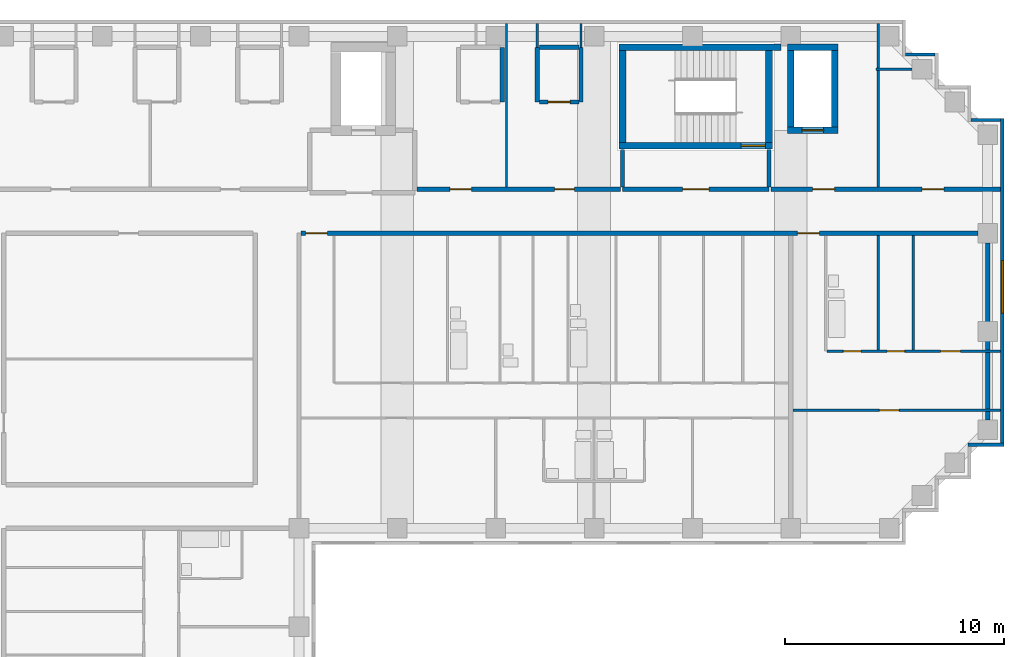
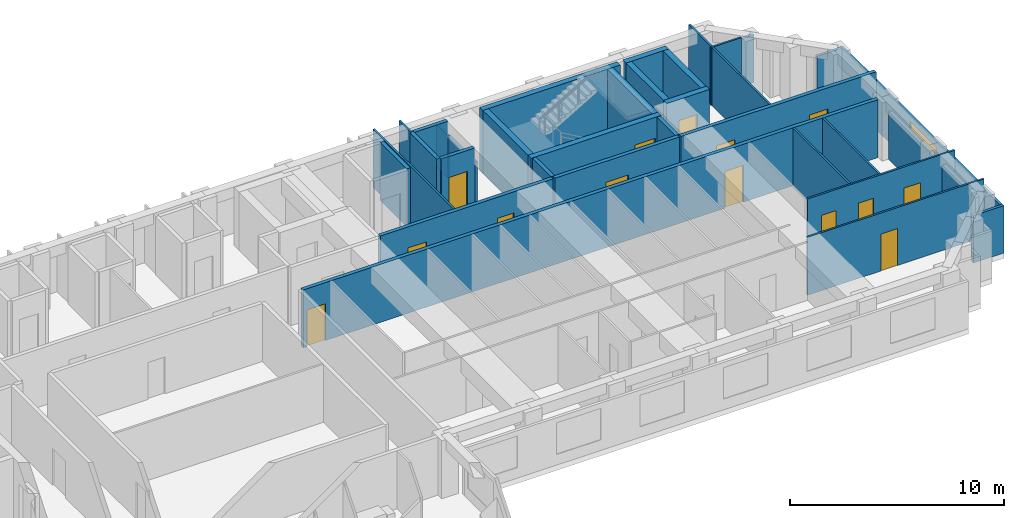
# One storey, part 7 of 10: 33 walls, 14 doors, 1 window, 15 openings.
"""IFC4 building model written with IfcOpenShell, lengths in metres."""

from ifc_helpers import new_model, si_unit, direction, frame, frame_2d, origin, place, context, subcontext, project, spatial, rectangle, extrude, material, layer, layer_set, type_object, element, fill, save


model = new_model("IFC4")

# Units and contexts
model_context = context("Model", 3, precision=1e-05, world=origin(), true_north=direction((0.0, 1.0)))
body_context = subcontext(model_context, "Body", "Model", "MODEL_VIEW")
ifc_project = project(units=[si_unit("LENGTHUNIT", "METRE"), si_unit("AREAUNIT", "SQUARE_METRE"), si_unit("VOLUMEUNIT", "CUBIC_METRE"), si_unit("PLANEANGLEUNIT", "RADIAN"), si_unit("MASSUNIT", "GRAM", prefix="KILO")], contexts=[model_context])

# Site, building, storey
site_placement = place(None, origin())
site = spatial("IfcSite", under=ifc_project, at=site_placement, CompositionType="ELEMENT")
building_placement = place(site_placement, origin())
building = spatial("IfcBuilding", under=site, at=building_placement, Name="Firuza Court", CompositionType="ELEMENT")
storey_placement = place(building_placement, frame((0.0, 0.0, 200.60009765625)))
storey = spatial("IfcBuildingStorey", under=building, at=storey_placement, Name="L51", CompositionType="ELEMENT", Elevation=200.60009765625)

# Wall
ifc_material_1 = material(Name="Moisture-resistant gypsum board partition")
ifc_layer_1 = layer(ifc_material_1, 0.10009765625)
ifc_layer_set_1 = layer_set([ifc_layer_1], Name="Moisture-resistant gypsum board partition")
wall_type_1 = type_object("IfcWallType", Name="Bathroom partition 100", PredefinedType="PLUMBINGWALL", material=ifc_layer_set_1)
wall_1_placement = place(storey_placement, frame((49.0, 44.14990234375, 0.0), z_axis=(0.0, 0.0, 1.0), x_axis=(0.0, 1.0, 0.0)))
element("IfcWall", 1, at=wall_1_placement, inside=storey, type_object=wall_type_1, Name="Bathroom partition 100 L51", PredefinedType="PLUMBINGWALL", context=body_context, shape_type="SweptSolid", body=[
    extrude(rectangle(XDim=5.25, YDim=0.10009765625, at=frame_2d((2.625, 0.0))), origin(), (0.0, 0.0, 1.0), 3.2998046875),
])

# Wall, opening, door
ifc_material_2 = material(Name="Concrete C50/60", Category="concrete")
ifc_layer_2 = layer(ifc_material_2, 0.300048828125)
ifc_layer_set_2 = layer_set([ifc_layer_2], Name="Concrete C50/60")
wall_type_2 = type_object("IfcWallType", Name="Core wall 300 C50/60", PredefinedType="SHEAR", material=ifc_layer_set_2)
wall_2_placement = place(storey_placement, frame((37.14990234375, 53.5, -0.300048828125), z_axis=(0.0, 0.0, 1.0), x_axis=(1.0, 0.0, 0.0)))
wall_2 = element("IfcWall", 2, at=wall_2_placement, inside=storey, type_object=wall_type_2, Name="Core wall stair L51", PredefinedType="SHEAR", context=body_context, shape_type="SweptSolid", body=[
    extrude(rectangle(XDim=7.0, YDim=0.300048828125, at=frame_2d((3.5, 0.0))), origin(), (0.0, 0.0, 1.0), 3.599853515625),
])
opening_1_placement = place(wall_2_placement, frame((5.580078125, 0.0, 0.300048828125)))
opening_1 = element("IfcOpeningElement", 3, at=opening_1_placement, cuts=wall_2, Name="Opening D51011", PredefinedType="OPENING", context=body_context, shape_type="SweptSolid", body=[
    extrude(rectangle(XDim=1.10009765625, YDim=2.10009765625, at=frame_2d((0.550048828125, 1.050048828125))), frame((0.0, 0.162109375, 0.0), z_axis=(0.0, -1.0, 0.0), x_axis=(1.0, 0.0, 0.0)), (0.0, 0.0, 1.0), 0.323974609375),
])
ifc_material_3 = material(Name="Timber door leaf in hardwood frame", Category="wood")
door_type_1 = type_object("IfcDoorType", Name="Stair door 1100", OperationType="SINGLE_SWING_LEFT", PredefinedType="DOOR", material=ifc_material_3)
door_1_placement = place(opening_1_placement, origin())
door_1 = element("IfcDoor", 4, at=door_1_placement, inside=storey, type_object=door_type_1, Name="Stair door S1", OperationType="SINGLE_SWING_RIGHT", OverallHeight=2.10009765625, OverallWidth=1.10009765625, PredefinedType="DOOR", context=body_context, shape_type="SweptSolid", body=[
    extrude(rectangle(XDim=1.10009765625, YDim=2.10009765625, at=frame_2d((0.550048828125, 1.050048828125))), frame((0.0, 0.02490234375, 0.0), z_axis=(0.0, -1.0, 0.0), x_axis=(1.0, 0.0, 0.0)), (0.0, 0.0, 1.0), 0.050048828125),
])
fill(opening_1, door_1)

# Walls
wall_3_placement = place(storey_placement, frame((37.14990234375, 58.0, -0.300048828125), z_axis=(0.0, 0.0, 1.0), x_axis=(1.0, 0.0, 0.0)))
element("IfcWall", 5, at=wall_3_placement, inside=storey, type_object=wall_type_2, Name="Core wall stair L51", PredefinedType="SHEAR", context=body_context, shape_type="SweptSolid", body=[
    extrude(rectangle(XDim=7.400146484375, YDim=0.300048828125, at=frame_2d((3.7001953125, 0.0))), origin(), (0.0, 0.0, 1.0), 3.599853515625),
])
for number, where, z_axis, x_axis, name in (
    (6, (37.300048828125, 53.64990234375, -0.300048828125), (0.0, 0.0, 1.0), (0.0, 1.0, 0.0), "Core wall stair L51"),
    (7, (44.0, 53.64990234375, -0.300048828125), (0.0, 0.0, 1.0), (0.0, 1.0, 0.0), "Core wall stair L51"),
):
    element("IfcWall", number, at=place(storey_placement, frame(where, z_axis=z_axis, x_axis=x_axis)), inside=storey, type_object=wall_type_2, Name=name, PredefinedType="SHEAR", context=body_context, shape_type="SweptSolid", body=[
        extrude(rectangle(XDim=4.2001953125, YDim=0.300048828125, at=frame_2d((2.10009765625, 0.0))), origin(), (0.0, 0.0, 1.0), 3.599853515625),
    ])

# Wall, opening, door
wall_4_placement = place(storey_placement, frame((44.85009765625, 54.199951171875, -0.300048828125), z_axis=(0.0, 0.0, 1.0), x_axis=(1.0, 0.0, 0.0)))
wall_4 = element("IfcWall", 8, at=wall_4_placement, inside=storey, type_object=wall_type_2, Name="Core wall riser L51", PredefinedType="SHEAR", context=body_context, shape_type="SweptSolid", body=[
    extrude(rectangle(XDim=2.2998046875, YDim=0.300048828125, at=frame_2d((1.14990234375, 0.0))), origin(), (0.0, 0.0, 1.0), 3.599853515625),
])
opening_2_placement = place(wall_4_placement, frame((0.64990234375, 0.0, 0.300048828125)))
opening_2 = element("IfcOpeningElement", 9, at=opening_2_placement, cuts=wall_4, Name="Opening D51009", PredefinedType="OPENING", context=body_context, shape_type="SweptSolid", body=[
    extrude(rectangle(XDim=1.0, YDim=2.10009765625, at=frame_2d((0.5, 1.050048828125))), frame((0.0, 0.162109375, 0.0), z_axis=(0.0, -1.0, 0.0), x_axis=(1.0, 0.0, 0.0)), (0.0, 0.0, 1.0), 0.323974609375),
])
ifc_material_4 = material(Name="Timber door leaf in hardwood frame", Category="wood")
door_type_2 = type_object("IfcDoorType", Name="Riser door 1000", OperationType="SINGLE_SWING_LEFT", PredefinedType="DOOR", material=ifc_material_4)
door_2_placement = place(opening_2_placement, origin())
door_2 = element("IfcDoor", 10, at=door_2_placement, inside=storey, type_object=door_type_2, Name="Riser door R3", OperationType="SINGLE_SWING_LEFT", OverallHeight=2.10009765625, OverallWidth=1.0, PredefinedType="DOOR", context=body_context, shape_type="SweptSolid", body=[
    extrude(rectangle(XDim=1.0, YDim=2.10009765625, at=frame_2d((0.5, 1.050048828125))), frame((0.0, 0.02490234375, 0.0), z_axis=(0.0, -1.0, 0.0), x_axis=(1.0, 0.0, 0.0)), (0.0, 0.0, 1.0), 0.050048828125),
])
fill(opening_2, door_2)

# Walls
wall_5_placement = place(storey_placement, frame((44.85009765625, 58.0, -0.300048828125), z_axis=(0.0, 0.0, 1.0), x_axis=(1.0, 0.0, 0.0)))
element("IfcWall", 11, at=wall_5_placement, inside=storey, type_object=wall_type_2, Name="Core wall riser L51", PredefinedType="SHEAR", context=body_context, shape_type="SweptSolid", body=[
    extrude(rectangle(XDim=2.2998046875, YDim=0.300048828125, at=frame_2d((1.14990234375, 0.0))), origin(), (0.0, 0.0, 1.0), 3.599853515625),
])
for number, where, z_axis, x_axis, name in (
    (12, (45.0, 54.35009765625, -0.300048828125), (0.0, 0.0, 1.0), (0.0, 1.0, 0.0), "Core wall riser L51"),
    (13, (47.0, 54.35009765625, -0.300048828125), (0.0, 0.0, 1.0), (0.0, 1.0, 0.0), "Core wall riser L51"),
):
    element("IfcWall", number, at=place(storey_placement, frame(where, z_axis=z_axis, x_axis=x_axis)), inside=storey, type_object=wall_type_2, Name=name, PredefinedType="SHEAR", context=body_context, shape_type="SweptSolid", body=[
        extrude(rectangle(XDim=3.5, YDim=0.300048828125, at=frame_2d((1.75, 0.0))), origin(), (0.0, 0.0, 1.0), 3.599853515625),
    ])

# Wall, openings, doors
ifc_material_5 = material(Name="Blockwork, plastered both sides", Category="masonry")
ifc_layer_3 = layer(ifc_material_5, 0.199951171875)
ifc_layer_set_3 = layer_set([ifc_layer_3], Name="Blockwork, plastered both sides")
wall_type_3 = type_object("IfcWallType", Name="Corridor wall 200", PredefinedType="PARTITIONING", material=ifc_layer_set_3)
wall_6_placement = place(storey_placement, frame((22.60009765625, 49.5, 0.0), z_axis=(0.0, 0.0, 1.0), x_axis=(1.0, 0.0, 0.0)))
wall_6 = element("IfcWall", 14, at=wall_6_placement, inside=storey, type_object=wall_type_3, Name="Corridor wall 200 L51", PredefinedType="PARTITIONING", context=body_context, shape_type="SweptSolid", body=[
    extrude(rectangle(XDim=30.949951171875, YDim=0.199951171875, at=frame_2d((15.47509765625, 0.0))), origin(), (0.0, 0.0, 1.0), 3.2998046875),
])
opening_3_placement = place(wall_6_placement, frame((0.199951171875, 0.0, 0.0)))
opening_3 = element("IfcOpeningElement", 15, at=opening_3_placement, cuts=wall_6, Name="Opening D51057", PredefinedType="OPENING", context=body_context, shape_type="SweptSolid", body=[
    extrude(rectangle(XDim=1.0, YDim=2.10009765625, at=frame_2d((0.5, 1.050048828125))), frame((0.0, 0.11181640625, 0.0), z_axis=(0.0, -1.0, 0.0), x_axis=(1.0, 0.0, 0.0)), (0.0, 0.0, 1.0), 0.223876953125),
])
opening_4_placement = place(wall_6_placement, frame((22.699951171875, 0.0, 0.0)))
opening_4 = element("IfcOpeningElement", 16, at=opening_4_placement, cuts=wall_6, Name="Opening D51058", PredefinedType="OPENING", context=body_context, shape_type="SweptSolid", body=[
    extrude(rectangle(XDim=1.0, YDim=2.10009765625, at=frame_2d((0.5, 1.050048828125))), frame((0.0, 0.11181640625, 0.0), z_axis=(0.0, -1.0, 0.0), x_axis=(1.0, 0.0, 0.0)), (0.0, 0.0, 1.0), 0.223876953125),
])
ifc_material_6 = material(Name="Timber door leaf in hardwood frame", Category="wood")
door_type_3 = type_object("IfcDoorType", Name="Flat entrance door 1000", OperationType="SINGLE_SWING_LEFT", PredefinedType="DOOR", material=ifc_material_6)
door_3_placement = place(opening_3_placement, origin())
door_3 = element("IfcDoor", 17, at=door_3_placement, inside=storey, type_object=door_type_3, Name="Flat entrance door", OperationType="SINGLE_SWING_LEFT", OverallHeight=2.10009765625, OverallWidth=1.0, PredefinedType="DOOR", context=body_context, shape_type="SweptSolid", body=[
    extrude(rectangle(XDim=1.0, YDim=2.10009765625, at=frame_2d((0.5, 1.050048828125))), frame((0.0, 0.02490234375, 0.0), z_axis=(0.0, -1.0, 0.0), x_axis=(1.0, 0.0, 0.0)), (0.0, 0.0, 1.0), 0.050048828125),
])
fill(opening_3, door_3)
door_4_placement = place(opening_4_placement, origin())
door_4 = element("IfcDoor", 18, at=door_4_placement, inside=storey, type_object=door_type_3, Name="Flat entrance door", OperationType="SINGLE_SWING_LEFT", OverallHeight=2.10009765625, OverallWidth=1.0, PredefinedType="DOOR", context=body_context, shape_type="SweptSolid", body=[
    extrude(rectangle(XDim=1.0, YDim=2.10009765625, at=frame_2d((0.5, 1.050048828125))), frame((0.0, 0.02490234375, 0.0), z_axis=(0.0, -1.0, 0.0), x_axis=(1.0, 0.0, 0.0)), (0.0, 0.0, 1.0), 0.050048828125),
])
fill(opening_4, door_4)

wall_7_placement = place(storey_placement, frame((27.89990234375, 51.5, 0.0), z_axis=(0.0, 0.0, 1.0), x_axis=(1.0, 0.0, 0.0)))
wall_7 = element("IfcWall", 19, at=wall_7_placement, inside=storey, type_object=wall_type_3, Name="Corridor wall 200 L51", PredefinedType="PARTITIONING", context=body_context, shape_type="SweptSolid", body=[
    extrude(rectangle(XDim=9.300048828125, YDim=0.199951171875, at=frame_2d((4.64990234375, 0.0))), origin(), (0.0, 0.0, 1.0), 3.2998046875),
])
opening_5_placement = place(wall_7_placement, frame((1.5, 0.0, 0.0)))
opening_5 = element("IfcOpeningElement", 20, at=opening_5_placement, cuts=wall_7, Name="Opening D51061", PredefinedType="OPENING", context=body_context, shape_type="SweptSolid", body=[
    extrude(rectangle(XDim=1.0, YDim=2.10009765625, at=frame_2d((0.5, 1.050048828125))), frame((0.0, 0.11181640625, 0.0), z_axis=(0.0, -1.0, 0.0), x_axis=(1.0, 0.0, 0.0)), (0.0, 0.0, 1.0), 0.223876953125),
])
opening_6_placement = place(wall_7_placement, frame((6.300048828125, 0.0, 0.0)))
opening_6 = element("IfcOpeningElement", 21, at=opening_6_placement, cuts=wall_7, Name="Opening D51062", PredefinedType="OPENING", context=body_context, shape_type="SweptSolid", body=[
    extrude(rectangle(XDim=0.89990234375, YDim=2.10009765625, at=frame_2d((0.449951171875, 1.050048828125))), frame((0.0, 0.11181640625, 0.0), z_axis=(0.0, -1.0, 0.0), x_axis=(1.0, 0.0, 0.0)), (0.0, 0.0, 1.0), 0.223876953125),
])
ifc_material_7 = material(Name="Timber door leaf in hardwood frame", Category="wood")
door_type_4 = type_object("IfcDoorType", Name="Room door 900 EI 30", OperationType="SINGLE_SWING_LEFT", PredefinedType="DOOR", material=ifc_material_7)
door_5_placement = place(opening_6_placement, origin())
door_5 = element("IfcDoor", 22, at=door_5_placement, inside=storey, type_object=door_type_4, Name="Concierge room door", OperationType="SINGLE_SWING_LEFT", OverallHeight=2.10009765625, OverallWidth=0.89990234375, PredefinedType="DOOR", context=body_context, shape_type="SweptSolid", body=[
    extrude(rectangle(XDim=0.89990234375, YDim=2.10009765625, at=frame_2d((0.449951171875, 1.050048828125))), frame((0.0, 0.02490234375, 0.0), z_axis=(0.0, -1.0, 0.0), x_axis=(1.0, 0.0, 0.0)), (0.0, 0.0, 1.0), 0.050048828125),
])
fill(opening_6, door_5)
ifc_material_8 = material(Name="Timber door leaf in hardwood frame", Category="wood")
door_type_5 = type_object("IfcDoorType", Name="Store door 1000", OperationType="SINGLE_SWING_LEFT", PredefinedType="DOOR", material=ifc_material_8)
door_6_placement = place(opening_5_placement, origin())
door_6 = element("IfcDoor", 23, at=door_6_placement, inside=storey, type_object=door_type_5, Name="Cleaner's store door", OperationType="SINGLE_SWING_LEFT", OverallHeight=2.10009765625, OverallWidth=1.0, PredefinedType="DOOR", context=body_context, shape_type="SweptSolid", body=[
    extrude(rectangle(XDim=1.0, YDim=2.10009765625, at=frame_2d((0.5, 1.050048828125))), frame((0.0, 0.02490234375, 0.0), z_axis=(0.0, -1.0, 0.0), x_axis=(1.0, 0.0, 0.0)), (0.0, 0.0, 1.0), 0.050048828125),
])
fill(opening_5, door_6)

wall_8_placement = place(storey_placement, frame((44.10009765625, 51.5, 0.0), z_axis=(0.0, 0.0, 1.0), x_axis=(1.0, 0.0, 0.0)))
wall_8 = element("IfcWall", 24, at=wall_8_placement, inside=storey, type_object=wall_type_3, Name="Corridor wall 200 L51", PredefinedType="PARTITIONING", context=body_context, shape_type="SweptSolid", body=[
    extrude(rectangle(XDim=10.5, YDim=0.199951171875, at=frame_2d((5.25, 0.0))), origin(), (0.0, 0.0, 1.0), 3.2998046875),
])
opening_7_placement = place(wall_8_placement, frame((1.89990234375, 0.0, 0.0)))
opening_7 = element("IfcOpeningElement", 25, at=opening_7_placement, cuts=wall_8, Name="Opening D51063", PredefinedType="OPENING", context=body_context, shape_type="SweptSolid", body=[
    extrude(rectangle(XDim=1.0, YDim=2.10009765625, at=frame_2d((0.5, 1.050048828125))), frame((0.0, 0.11181640625, 0.0), z_axis=(0.0, -1.0, 0.0), x_axis=(1.0, 0.0, 0.0)), (0.0, 0.0, 1.0), 0.223876953125),
])
opening_8_placement = place(wall_8_placement, frame((6.89990234375, 0.0, 0.0)))
opening_8 = element("IfcOpeningElement", 26, at=opening_8_placement, cuts=wall_8, Name="Opening D51064", PredefinedType="OPENING", context=body_context, shape_type="SweptSolid", body=[
    extrude(rectangle(XDim=1.0, YDim=2.10009765625, at=frame_2d((0.5, 1.050048828125))), frame((0.0, 0.11181640625, 0.0), z_axis=(0.0, -1.0, 0.0), x_axis=(1.0, 0.0, 0.0)), (0.0, 0.0, 1.0), 0.223876953125),
])
door_7_placement = place(opening_7_placement, origin())
door_7 = element("IfcDoor", 27, at=door_7_placement, inside=storey, type_object=door_type_5, Name="Valet store door", OperationType="SINGLE_SWING_LEFT", OverallHeight=2.10009765625, OverallWidth=1.0, PredefinedType="DOOR", context=body_context, shape_type="SweptSolid", body=[
    extrude(rectangle(XDim=1.0, YDim=2.10009765625, at=frame_2d((0.5, 1.050048828125))), frame((0.0, 0.02490234375, 0.0), z_axis=(0.0, -1.0, 0.0), x_axis=(1.0, 0.0, 0.0)), (0.0, 0.0, 1.0), 0.050048828125),
])
fill(opening_7, door_7)
door_8_placement = place(opening_8_placement, origin())
door_8 = element("IfcDoor", 28, at=door_8_placement, inside=storey, type_object=door_type_5, Name="Cleaner's store door", OperationType="SINGLE_SWING_LEFT", OverallHeight=2.10009765625, OverallWidth=1.0, PredefinedType="DOOR", context=body_context, shape_type="SweptSolid", body=[
    extrude(rectangle(XDim=1.0, YDim=2.10009765625, at=frame_2d((0.5, 1.050048828125))), frame((0.0, 0.02490234375, 0.0), z_axis=(0.0, -1.0, 0.0), x_axis=(1.0, 0.0, 0.0)), (0.0, 0.0, 1.0), 0.050048828125),
])
fill(opening_8, door_8)

# Wall, opening, door
ifc_material_9 = material(Name="Timber stud partition, plasterboard both sides", Category="wood")
ifc_layer_4 = layer(ifc_material_9, 0.10009765625)
ifc_layer_set_4 = layer_set([ifc_layer_4], Name="Timber stud partition, plasterboard both sides")
wall_type_4 = type_object("IfcWallType", Name="Partition wall 100", PredefinedType="PARTITIONING", material=ifc_layer_set_4)
wall_9_placement = place(storey_placement, frame((45.10009765625, 41.39990234375, 0.0), z_axis=(0.0, 0.0, 1.0), x_axis=(1.0, 0.0, 0.0)))
wall_9 = element("IfcWall", 29, at=wall_9_placement, inside=storey, type_object=wall_type_4, Name="Partition wall 100 L51", PredefinedType="PARTITIONING", context=body_context, shape_type="SweptSolid", body=[
    extrude(rectangle(XDim=9.5, YDim=0.10009765625, at=frame_2d((4.75, 0.0))), origin(), (0.0, 0.0, 1.0), 3.2998046875),
])
opening_9_placement = place(wall_9_placement, frame((3.949951171875, 0.0, 0.0)))
opening_9 = element("IfcOpeningElement", 30, at=opening_9_placement, cuts=wall_9, Name="Opening D51043", PredefinedType="OPENING", context=body_context, shape_type="SweptSolid", body=[
    extrude(rectangle(XDim=0.89990234375, YDim=2.10009765625, at=frame_2d((0.449951171875, 1.050048828125))), frame((0.0, 0.06201171875, 0.0), z_axis=(0.0, -1.0, 0.0), x_axis=(1.0, 0.0, 0.0)), (0.0, 0.0, 1.0), 0.1240234375),
])
ifc_material_10 = material(Name="Timber door leaf in hardwood frame", Category="wood")
door_type_6 = type_object("IfcDoorType", Name="Room door 900", OperationType="SINGLE_SWING_LEFT", PredefinedType="DOOR", material=ifc_material_10)
door_9_placement = place(opening_9_placement, frame((0.89990234375, 0.0, 0.0), z_axis=(0.0, 0.0, 1.0), x_axis=(-1.0, 0.0, 0.0)))
door_9 = element("IfcDoor", 31, at=door_9_placement, inside=storey, type_object=door_type_6, Name="Studio room door", OperationType="SINGLE_SWING_RIGHT", OverallHeight=2.10009765625, OverallWidth=0.89990234375, PredefinedType="DOOR", context=body_context, shape_type="SweptSolid", body=[
    extrude(rectangle(XDim=0.89990234375, YDim=2.10009765625, at=frame_2d((0.449951171875, 1.050048828125))), frame((0.0, 0.02490234375, 0.0), z_axis=(0.0, -1.0, 0.0), x_axis=(1.0, 0.0, 0.0)), (0.0, 0.0, 1.0), 0.050048828125),
])
fill(opening_9, door_9)

# Wall, openings, doors
wall_10_placement = place(storey_placement, frame((46.64990234375, 44.10009765625, 0.0), z_axis=(0.0, 0.0, 1.0), x_axis=(1.0, 0.0, 0.0)))
wall_10 = element("IfcWall", 32, at=wall_10_placement, inside=storey, type_object=wall_type_4, Name="Partition wall 100 L51", PredefinedType="PARTITIONING", context=body_context, shape_type="SweptSolid", body=[
    extrude(rectangle(XDim=7.9501953125, YDim=0.10009765625, at=frame_2d((3.97509765625, 0.0))), origin(), (0.0, 0.0, 1.0), 3.2998046875),
])
opening_10_placement = place(wall_10_placement, frame((0.75, 0.0, 0.0)))
opening_10 = element("IfcOpeningElement", 33, at=opening_10_placement, cuts=wall_10, Name="Opening D51053", PredefinedType="OPENING", context=body_context, shape_type="SweptSolid", body=[
    extrude(rectangle(XDim=0.800048828125, YDim=2.10009765625, at=frame_2d((0.39990234375, 1.050048828125))), frame((0.0, 0.06201171875, 0.0), z_axis=(0.0, -1.0, 0.0), x_axis=(1.0, 0.0, 0.0)), (0.0, 0.0, 1.0), 0.1240234375),
])
opening_11_placement = place(wall_10_placement, frame((5.199951171875, 0.0, 0.0)))
opening_11 = element("IfcOpeningElement", 34, at=opening_11_placement, cuts=wall_10, Name="Opening D51054", PredefinedType="OPENING", context=body_context, shape_type="SweptSolid", body=[
    extrude(rectangle(XDim=0.89990234375, YDim=2.10009765625, at=frame_2d((0.449951171875, 1.050048828125))), frame((0.0, 0.06201171875, 0.0), z_axis=(0.0, -1.0, 0.0), x_axis=(1.0, 0.0, 0.0)), (0.0, 0.0, 1.0), 0.1240234375),
])
opening_12_placement = place(wall_10_placement, frame((2.75, 0.0, 0.0)))
opening_12 = element("IfcOpeningElement", 35, at=opening_12_placement, cuts=wall_10, Name="Opening D51055", PredefinedType="OPENING", context=body_context, shape_type="SweptSolid", body=[
    extrude(rectangle(XDim=0.800048828125, YDim=2.10009765625, at=frame_2d((0.39990234375, 1.050048828125))), frame((0.0, 0.06201171875, 0.0), z_axis=(0.0, -1.0, 0.0), x_axis=(1.0, 0.0, 0.0)), (0.0, 0.0, 1.0), 0.1240234375),
])
ifc_material_11 = material(Name="Timber door leaf in hardwood frame", Category="wood")
door_type_7 = type_object("IfcDoorType", Name="Bathroom door 800", OperationType="SINGLE_SWING_LEFT", PredefinedType="DOOR", material=ifc_material_11)
door_10_placement = place(opening_10_placement, origin())
door_10 = element("IfcDoor", 36, at=door_10_placement, inside=storey, type_object=door_type_7, Name="Bathroom door", OperationType="SINGLE_SWING_LEFT", OverallHeight=2.10009765625, OverallWidth=0.800048828125, PredefinedType="DOOR", context=body_context, shape_type="SweptSolid", body=[
    extrude(rectangle(XDim=0.800048828125, YDim=2.10009765625, at=frame_2d((0.39990234375, 1.050048828125))), frame((0.0, 0.02490234375, 0.0), z_axis=(0.0, -1.0, 0.0), x_axis=(1.0, 0.0, 0.0)), (0.0, 0.0, 1.0), 0.050048828125),
])
fill(opening_10, door_10)
ifc_material_12 = material(Name="Timber door leaf in hardwood frame", Category="wood")
door_type_8 = type_object("IfcDoorType", Name="Room door 800", OperationType="SINGLE_SWING_LEFT", PredefinedType="DOOR", material=ifc_material_12)
door_11_placement = place(opening_12_placement, origin())
door_11 = element("IfcDoor", 37, at=door_11_placement, inside=storey, type_object=door_type_8, Name="Store door", OperationType="SINGLE_SWING_LEFT", OverallHeight=2.10009765625, OverallWidth=0.800048828125, PredefinedType="DOOR", context=body_context, shape_type="SweptSolid", body=[
    extrude(rectangle(XDim=0.800048828125, YDim=2.10009765625, at=frame_2d((0.39990234375, 1.050048828125))), frame((0.0, 0.02490234375, 0.0), z_axis=(0.0, -1.0, 0.0), x_axis=(1.0, 0.0, 0.0)), (0.0, 0.0, 1.0), 0.050048828125),
])
fill(opening_12, door_11)
door_12_placement = place(opening_11_placement, origin())
door_12 = element("IfcDoor", 38, at=door_12_placement, inside=storey, type_object=door_type_6, Name="Kitchen door", OperationType="SINGLE_SWING_LEFT", OverallHeight=2.10009765625, OverallWidth=0.89990234375, PredefinedType="DOOR", context=body_context, shape_type="SweptSolid", body=[
    extrude(rectangle(XDim=0.89990234375, YDim=2.10009765625, at=frame_2d((0.449951171875, 1.050048828125))), frame((0.0, 0.02490234375, 0.0), z_axis=(0.0, -1.0, 0.0), x_axis=(1.0, 0.0, 0.0)), (0.0, 0.0, 1.0), 0.050048828125),
])
fill(opening_11, door_12)

# Walls
wall_11_placement = place(storey_placement, frame((50.60009765625, 44.14990234375, 0.0), z_axis=(0.0, 0.0, 1.0), x_axis=(0.0, 1.0, 0.0)))
element("IfcWall", 39, at=wall_11_placement, inside=storey, type_object=wall_type_4, Name="Partition wall 100 L51", PredefinedType="PARTITIONING", context=body_context, shape_type="SweptSolid", body=[
    extrude(rectangle(XDim=5.25, YDim=0.10009765625, at=frame_2d((2.625, 0.0))), origin(), (0.0, 0.0, 1.0), 3.2998046875),
])
for number, where, z_axis, x_axis, name in (
    (40, (32.0, 51.60009765625, 0.0), (0.0, 0.0, 1.0), (0.0, 1.0, 0.0), "Partition wall 100 L51"),
    (41, (49.0, 51.60009765625, 0.0), (0.0, 0.0, 1.0), (0.0, 1.0, 0.0), "Partition wall 100 L51"),
):
    element("IfcWall", number, at=place(storey_placement, frame(where, z_axis=z_axis, x_axis=x_axis)), inside=storey, type_object=wall_type_4, Name=name, PredefinedType="PARTITIONING", context=body_context, shape_type="SweptSolid", body=[
        extrude(rectangle(XDim=7.5, YDim=0.10009765625, at=frame_2d((3.75, 0.0))), origin(), (0.0, 0.0, 1.0), 3.2998046875),
    ])
wall_12_placement = place(storey_placement, frame((48.89990234375, 57.0, 0.0), z_axis=(0.0, 0.0, 1.0), x_axis=(1.0, 0.0, 0.0)))
element("IfcWall", 42, at=wall_12_placement, inside=storey, type_object=wall_type_4, Name="Partition wall 100 L51", PredefinedType="PARTITIONING", context=body_context, shape_type="SweptSolid", body=[
    extrude(rectangle(XDim=1.650146484375, YDim=0.10009765625, at=frame_2d((0.8251953125, 0.0))), origin(), (0.0, 0.0, 1.0), 3.2998046875),
])
wall_13_placement = place(storey_placement, frame((33.39990234375, 58.0, 0.0), z_axis=(0.0, 0.0, 1.0), x_axis=(0.0, 1.0, 0.0)))
element("IfcWall", 43, at=wall_13_placement, inside=storey, type_object=wall_type_4, Name="Partition wall 100 L51", PredefinedType="PARTITIONING", context=body_context, shape_type="SweptSolid", body=[
    extrude(rectangle(XDim=1.10009765625, YDim=0.10009765625, at=frame_2d((0.550048828125, 0.0))), origin(), (0.0, 0.0, 1.0), 3.2998046875),
])
wall_14_placement = place(storey_placement, frame((35.39990234375, 58.0, 0.0), z_axis=(0.0, 0.0, 1.0), x_axis=(0.0, 1.0, 0.0)))
element("IfcWall", 44, at=wall_14_placement, inside=storey, type_object=wall_type_4, Name="Partition wall 100 L51", PredefinedType="PARTITIONING", context=body_context, shape_type="SweptSolid", body=[
    extrude(rectangle(XDim=1.10009765625, YDim=0.10009765625, at=frame_2d((0.550048828125, 0.0))), origin(), (0.0, 0.0, 1.0), 2.39990234375),
])
ifc_layer_5 = layer(ifc_material_5, 0.199951171875)
ifc_layer_set_5 = layer_set([ifc_layer_5], Name="Blockwork, plastered both sides")
wall_type_5 = type_object("IfcWallType", Name="Party wall 200", PredefinedType="PARTITIONING", material=ifc_layer_set_5)
wall_15_placement = place(storey_placement, frame((54.0, 40.949951171875, 0.0), z_axis=(0.0, 0.0, 1.0), x_axis=(0.0, 1.0, 0.0)))
element("IfcWall", 45, at=wall_15_placement, inside=storey, type_object=wall_type_5, Name="Party wall 200 L51", PredefinedType="PARTITIONING", context=body_context, shape_type="SweptSolid", body=[
    extrude(rectangle(XDim=8.10009765625, YDim=0.199951171875, at=frame_2d((4.050048828125, 0.0))), origin(), (0.0, 0.0, 1.0), 2.699951171875),
])
ifc_material_13 = material(Name="Blockwork, fire-rated", Category="masonry")
ifc_layer_6 = layer(ifc_material_13, 0.199951171875)
ifc_layer_set_6 = layer_set([ifc_layer_6], Name="Blockwork, fire-rated")
wall_type_6 = type_object("IfcWallType", Name="Plant room wall 200", PredefinedType="PARTITIONING", material=ifc_layer_set_6)
for number, where, z_axis, x_axis, name in (
    (46, (31.800048828125, 55.5, 0.0), (0.0, 0.0, 1.0), (0.0, 1.0, 0.0), "Plant room wall 200 L51"),
    (47, (33.39990234375, 55.5, 0.0), (0.0, 0.0, 1.0), (0.0, 1.0, 0.0), "Plant room wall 200 L51"),
):
    element("IfcWall", number, at=place(storey_placement, frame(where, z_axis=z_axis, x_axis=x_axis)), inside=storey, type_object=wall_type_6, Name=name, PredefinedType="PARTITIONING", context=body_context, shape_type="SweptSolid", body=[
        extrude(rectangle(XDim=2.5, YDim=0.199951171875, at=frame_2d((1.25, 0.0))), origin(), (0.0, 0.0, 1.0), 3.2998046875),
    ])

# Wall, opening, door
wall_16_placement = place(storey_placement, frame((33.5, 55.5, 0.0), z_axis=(0.0, 0.0, 1.0), x_axis=(1.0, 0.0, 0.0)))
wall_16 = element("IfcWall", 48, at=wall_16_placement, inside=storey, type_object=wall_type_6, Name="Plant room wall 200 L51", PredefinedType="PARTITIONING", context=body_context, shape_type="SweptSolid", body=[
    extrude(rectangle(XDim=1.800048828125, YDim=0.199951171875, at=frame_2d((0.89990234375, 0.0))), origin(), (0.0, 0.0, 1.0), 3.2998046875),
])
opening_13_placement = place(wall_16_placement, frame((0.39990234375, 0.0, 0.0)))
opening_13 = element("IfcOpeningElement", 49, at=opening_13_placement, cuts=wall_16, Name="Opening D51069", PredefinedType="OPENING", context=body_context, shape_type="SweptSolid", body=[
    extrude(rectangle(XDim=1.0, YDim=2.10009765625, at=frame_2d((0.5, 1.050048828125))), frame((0.0, 0.11181640625, 0.0), z_axis=(0.0, -1.0, 0.0), x_axis=(1.0, 0.0, 0.0)), (0.0, 0.0, 1.0), 0.223876953125),
])
door_13_placement = place(opening_13_placement, origin())
door_13 = element("IfcDoor", 50, at=door_13_placement, inside=storey, type_object=door_type_2, Name="Duct riser door", OperationType="SINGLE_SWING_LEFT", OverallHeight=2.10009765625, OverallWidth=1.0, PredefinedType="DOOR", context=body_context, shape_type="SweptSolid", body=[
    extrude(rectangle(XDim=1.0, YDim=2.10009765625, at=frame_2d((0.5, 1.050048828125))), frame((0.0, 0.02490234375, 0.0), z_axis=(0.0, -1.0, 0.0), x_axis=(1.0, 0.0, 0.0)), (0.0, 0.0, 1.0), 0.050048828125),
])
fill(opening_13, door_13)

# Walls
wall_17_placement = place(storey_placement, frame((35.39990234375, 55.5, 0.0), z_axis=(0.0, 0.0, 1.0), x_axis=(0.0, 1.0, 0.0)))
element("IfcWall", 51, at=wall_17_placement, inside=storey, type_object=wall_type_6, Name="Plant room wall 200 L51", PredefinedType="PARTITIONING", context=body_context, shape_type="SweptSolid", body=[
    extrude(rectangle(XDim=2.5, YDim=0.199951171875, at=frame_2d((1.25, 0.0))), origin(), (0.0, 0.0, 1.0), 2.39990234375),
])
wall_18_placement = place(storey_placement, frame((33.5, 58.0, 0.0), z_axis=(0.0, 0.0, 1.0), x_axis=(1.0, 0.0, 0.0)))
element("IfcWall", 52, at=wall_18_placement, inside=storey, type_object=wall_type_6, Name="Plant room wall 200 L51", PredefinedType="PARTITIONING", context=body_context, shape_type="SweptSolid", body=[
    extrude(rectangle(XDim=1.800048828125, YDim=0.199951171875, at=frame_2d((0.89990234375, 0.0))), origin(), (0.0, 0.0, 1.0), 3.2998046875),
])
ifc_material_14 = material(Name="Ceramic tile", Category="ceramic")
ifc_layer_7 = layer(ifc_material_14, 0.02001953125)
ifc_material_15 = material(Name="Mineral wool insulation", Category="insulation")
ifc_layer_8 = layer(ifc_material_15, 0.050048828125)
ifc_material_16 = material(Name="Concrete C40/50 precast", Category="concrete")
ifc_layer_9 = layer(ifc_material_16, 0.080078125)
ifc_layer_set_7 = layer_set([ifc_layer_7, ifc_layer_8, ifc_layer_9], Name="Concrete C40/50 precast")
wall_type_7 = type_object("IfcWallType", Name="Precast cladding wall with turquoise TILE PANEL face 150", PredefinedType="STANDARD", material=ifc_layer_set_7)
wall_19_placement = place(storey_placement, frame((53.10009765625, 39.824951171875, 0.0), z_axis=(0.0, 0.0, 1.0), x_axis=(1.0, 0.0, 0.0)))
element("IfcWall", 53, at=wall_19_placement, inside=storey, type_object=wall_type_7, Name="Facade wall L51 S", PredefinedType="STANDARD", context=body_context, shape_type="SweptSolid", body=[
    extrude(rectangle(XDim=1.64990234375, YDim=0.14990234375, at=frame_2d((0.824951171875, 0.0))), origin(), (0.0, 0.0, 1.0), 2.699951171875),
])

# Wall, opening, window
wall_20_placement = place(storey_placement, frame((54.675048828125, 39.89990234375, 0.0), z_axis=(0.0, 0.0, 1.0), x_axis=(0.0, 1.0, 0.0)))
wall_20 = element("IfcWall", 54, at=wall_20_placement, inside=storey, type_object=wall_type_7, Name="Facade wall L51 E", PredefinedType="STANDARD", context=body_context, shape_type="SweptSolid", body=[
    extrude(rectangle(XDim=14.85009765625, YDim=0.14990234375, at=frame_2d((7.425048828125, 0.0))), origin(), (0.0, 0.0, 1.0), 2.699951171875),
])
opening_14_placement = place(wall_20_placement, frame((5.939208984375, 0.0, 0.60009765625)))
opening_14 = element("IfcOpeningElement", 55, at=opening_14_placement, cuts=wall_20, Name="Opening W1", PredefinedType="OPENING", context=body_context, shape_type="SweptSolid", body=[
    extrude(rectangle(XDim=2.39990234375, YDim=1.800048828125, at=frame_2d((1.199951171875, 0.89990234375))), frame((0.0, 0.0869140625, 0.0), z_axis=(0.0, -1.0, 0.0), x_axis=(1.0, 0.0, 0.0)), (0.0, 0.0, 1.0), 0.173828125),
])
ifc_material_17 = material(Name="Aluminium frame, triple clear glazing", Category="aluminium")
window_type = type_object("IfcWindowType", Name="Window W1 2400 x 1800", PartitioningType="SINGLE_PANEL", PredefinedType="WINDOW", material=ifc_material_17)
window_placement = place(opening_14_placement, origin())
window = element("IfcWindow", 56, at=window_placement, inside=storey, type_object=window_type, Name="Window L51", OverallHeight=1.800048828125, OverallWidth=2.39990234375, PartitioningType="SINGLE_PANEL", PredefinedType="WINDOW", context=body_context, shape_type="SweptSolid", body=[
    extrude(rectangle(XDim=2.39990234375, YDim=1.800048828125, at=frame_2d((1.199951171875, 0.89990234375))), frame((0.0, 0.030029296875, 0.0), z_axis=(0.0, -1.0, 0.0), x_axis=(1.0, 0.0, 0.0)), (0.0, 0.0, 1.0), 0.06005859375),
])
fill(opening_14, window)

# Walls
for number, where, z_axis, x_axis, name in (
    (57, (54.60009765625, 54.675048828125, 0.0), (0.0, 0.0, 1.0), (-1.0, 0.0, 0.0), "Facade wall L51 N"),
    (58, (51.60009765625, 57.675048828125, 0.0), (0.0, 0.0, 1.0), (-1.0, 0.0, 0.0), "Facade wall L51 N"),
):
    element("IfcWall", number, at=place(storey_placement, frame(where, z_axis=z_axis, x_axis=x_axis)), inside=storey, type_object=wall_type_7, Name=name, PredefinedType="STANDARD", context=body_context, shape_type="SweptSolid", body=[
        extrude(rectangle(XDim=1.35009765625, YDim=0.14990234375, at=frame_2d((0.675048828125, 0.0))), origin(), (0.0, 0.0, 1.0), 2.699951171875),
    ])

# Wall, opening, door
ifc_layer_10 = layer(ifc_material_13, 0.199951171875)
ifc_layer_set_8 = layer_set([ifc_layer_10], Name="Blockwork, fire-rated")
wall_type_8 = type_object("IfcWallType", Name="Shaft wall 200", PredefinedType="PARTITIONING", material=ifc_layer_set_8)
wall_21_placement = place(storey_placement, frame((37.300048828125, 51.5, 0.0), z_axis=(0.0, 0.0, 1.0), x_axis=(1.0, 0.0, 0.0)))
wall_21 = element("IfcWall", 59, at=wall_21_placement, inside=storey, type_object=wall_type_8, Name="Shaft wall 200 L51", PredefinedType="PARTITIONING", context=body_context, shape_type="SweptSolid", body=[
    extrude(rectangle(XDim=6.699951171875, YDim=0.199951171875, at=frame_2d((3.35009765625, 0.0))), origin(), (0.0, 0.0, 1.0), 3.2998046875),
])
opening_15_placement = place(wall_21_placement, frame((2.75, 0.0, 0.0)))
opening_15 = element("IfcOpeningElement", 60, at=opening_15_placement, cuts=wall_21, Name="Opening D51006", PredefinedType="OPENING", context=body_context, shape_type="SweptSolid", body=[
    extrude(rectangle(XDim=1.199951171875, YDim=2.10009765625, at=frame_2d((0.60009765625, 1.050048828125))), frame((0.0, 0.11181640625, 0.0), z_axis=(0.0, -1.0, 0.0), x_axis=(1.0, 0.0, 0.0)), (0.0, 0.0, 1.0), 0.223876953125),
])
ifc_material_18 = material(Name="Timber door leaf in hardwood frame", Category="wood")
door_type_9 = type_object("IfcDoorType", Name="Lobby door 1200", OperationType="SINGLE_SWING_LEFT", PredefinedType="DOOR", material=ifc_material_18)
door_14_placement = place(opening_15_placement, origin())
door_14 = element("IfcDoor", 61, at=door_14_placement, inside=storey, type_object=door_type_9, Name="Lobby door", OperationType="SINGLE_SWING_LEFT", OverallHeight=2.10009765625, OverallWidth=1.199951171875, PredefinedType="DOOR", context=body_context, shape_type="SweptSolid", body=[
    extrude(rectangle(XDim=1.199951171875, YDim=2.10009765625, at=frame_2d((0.60009765625, 1.050048828125))), frame((0.0, 0.02490234375, 0.0), z_axis=(0.0, -1.0, 0.0), x_axis=(1.0, 0.0, 0.0)), (0.0, 0.0, 1.0), 0.050048828125),
])
fill(opening_15, door_14)

# Walls
for number, where, z_axis, x_axis, name in (
    (62, (44.0, 51.60009765625, 0.0), (0.0, 0.0, 1.0), (0.0, 1.0, 0.0), "Shaft wall 200 L51"),
    (63, (37.300048828125, 51.60009765625, 0.0), (0.0, 0.0, 1.0), (0.0, 1.0, 0.0), "Shaft wall 200 L51"),
):
    element("IfcWall", number, at=place(storey_placement, frame(where, z_axis=z_axis, x_axis=x_axis)), inside=storey, type_object=wall_type_8, Name=name, PredefinedType="PARTITIONING", context=body_context, shape_type="SweptSolid", body=[
        extrude(rectangle(XDim=1.72998046875, YDim=0.199951171875, at=frame_2d((0.864990234375, 0.0))), origin(), (0.0, 0.0, 1.0), 3.2998046875),
    ])

save(model, "model.ifc")
